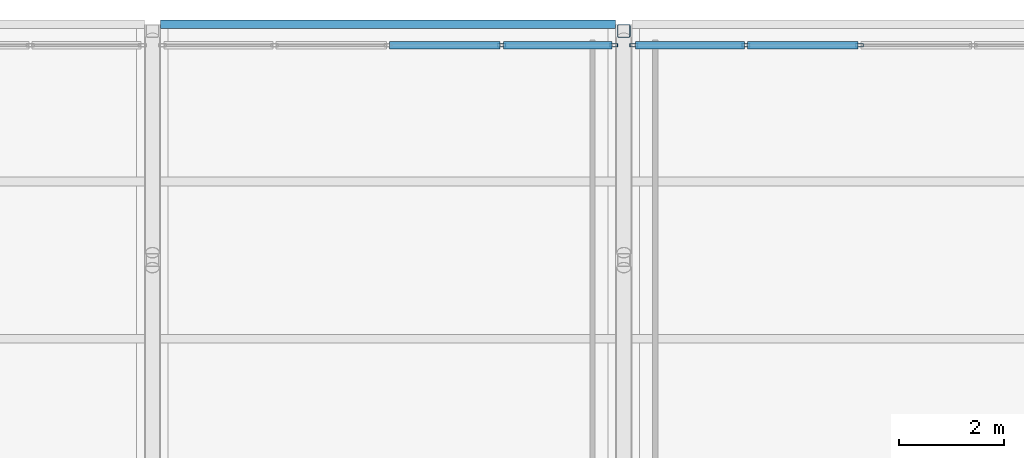
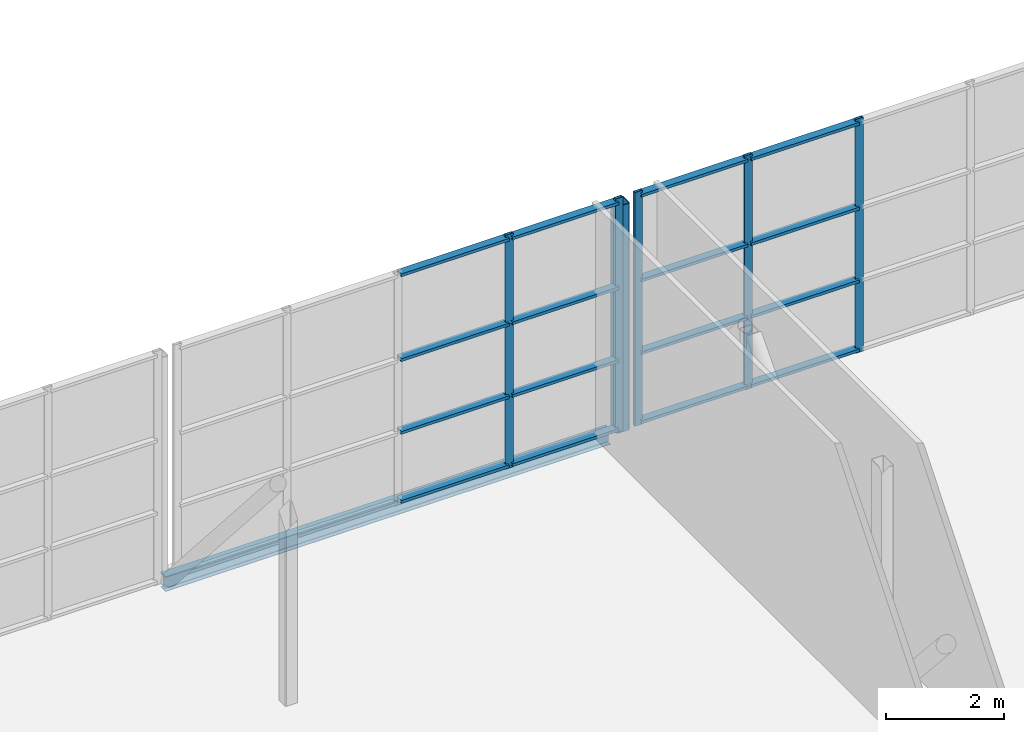
# One storey, part 65 of 94: 22 members, 1 beam, 2 elements without a shape of their own.
"""IFC4 building model written with IfcOpenShell, lengths in metres."""

from ifc_helpers import new_model, si_unit, direction, frame, origin, origin_2d, place, context, subcontext, project, spatial, hollow_rectangle, i_section, extrude, material, layer, layer_set, material_profile, profile_set, type_object, element, aggregate, save


model = new_model("IFC4")

# Units and contexts
model_context = context("Model", 3, precision=1e-05, world=origin(), true_north=direction((0.0, 1.0)))
body_context = subcontext(model_context, "Body", "Model", "MODEL_VIEW")
ifc_project = project(units=[si_unit("LENGTHUNIT", "METRE"), si_unit("AREAUNIT", "SQUARE_METRE"), si_unit("VOLUMEUNIT", "CUBIC_METRE"), si_unit("PLANEANGLEUNIT", "RADIAN"), si_unit("MASSUNIT", "GRAM", prefix="KILO")], contexts=[model_context])

# Site, building, storey
site_placement = place(None, origin())
site = spatial("IfcSite", under=ifc_project, at=site_placement, CompositionType="ELEMENT")
building_placement = place(site_placement, origin())
building = spatial("IfcBuilding", under=site, at=building_placement, Name="Shorebreak Coast Museum", CompositionType="ELEMENT")
storey_placement = place(building_placement, frame((0.0, 0.0, 31.0)))
storey = spatial("IfcBuildingStorey", under=building, at=storey_placement, Name="L05", CompositionType="ELEMENT", Elevation=31.0)

# Curtain wall, members
ifc_material_1 = material(Name="Aluminium", Category="aluminium")
ifc_layer = layer(ifc_material_1, 0.14990234375)
ifc_layer_set = layer_set([ifc_layer], Name="Aluminium")
curtain_wall_type = type_object("IfcCurtainWallType", Name="Barrel end glazing", PredefinedType="NOTDEFINED", material=ifc_layer_set)
curtain_wall_1_placement = place(storey_placement, origin())
curtain_wall_1 = element("IfcCurtainWall", 1, at=curtain_wall_1_placement, inside=storey, type_object=curtain_wall_type, Name="Barrel end glazing L05 3", PredefinedType="NOTDEFINED")
ifc_material_2 = material(Name="Aluminium", Category="aluminium")
ifc_material_profile_1 = material_profile(ifc_material_2, hollow_rectangle(XDim=0.06005859375, YDim=0.14990234375, WallThickness=0.00390625, at=origin_2d()), Name="AL 150x60 RHS")
ifc_profile_set_1 = profile_set([ifc_material_profile_1], Name="Aluminium")
member_type_1 = type_object("IfcMemberType", Name="Barrel mullion 60 x 150", PredefinedType="MULLION", material=ifc_profile_set_1)
member_1_placement = place(storey_placement, frame((78.6689453125, 134.60009765625, 0.0), z_axis=(0.0, 0.0, 1.0), x_axis=(0.0, 1.0, 0.0)))
member_1 = element("IfcMember", 2, at=member_1_placement, type_object=member_type_1, Name="CW7 mullion 4", PredefinedType="MULLION", context=body_context, shape_type="SweptSolid", body=[
    extrude(hollow_rectangle(XDim=0.06005859375, YDim=0.14990234375, WallThickness=0.00390625, at=origin_2d()), origin(), (0.0, 0.0, 1.0), 4.824951171875),
])
member_2_placement = place(storey_placement, frame((80.80810546875, 134.60009765625, 0.0), z_axis=(0.0, 0.0, 1.0), x_axis=(0.0, 1.0, 0.0)))
member_2 = element("IfcMember", 3, at=member_2_placement, type_object=member_type_1, Name="CW7 mullion 5", PredefinedType="MULLION", context=body_context, shape_type="SweptSolid", body=[
    extrude(hollow_rectangle(XDim=0.06005859375, YDim=0.14990234375, WallThickness=0.00390625, at=origin_2d()), origin(), (0.0, 0.0, 1.0), 4.824951171875),
])

curtain_wall_2_placement = place(storey_placement, origin())
curtain_wall_2 = element("IfcCurtainWall", 4, at=curtain_wall_2_placement, inside=storey, type_object=curtain_wall_type, Name="Barrel end glazing L05 4", PredefinedType="NOTDEFINED")
member_3_placement = place(storey_placement, frame((81.19189453125, 134.60009765625, 0.0), z_axis=(0.0, 0.0, 1.0), x_axis=(0.0, 1.0, 0.0)))
member_3 = element("IfcMember", 5, at=member_3_placement, type_object=member_type_1, Name="CW7 mullion 1", PredefinedType="MULLION", context=body_context, shape_type="SweptSolid", body=[
    extrude(hollow_rectangle(XDim=0.06005859375, YDim=0.14990234375, WallThickness=0.00390625, at=origin_2d()), origin(), (0.0, 0.0, 1.0), 4.824951171875),
])
member_4_placement = place(storey_placement, frame((83.3310546875, 134.60009765625, 0.0), z_axis=(0.0, 0.0, 1.0), x_axis=(0.0, 1.0, 0.0)))
member_4 = element("IfcMember", 6, at=member_4_placement, type_object=member_type_1, Name="CW7 mullion 2", PredefinedType="MULLION", context=body_context, shape_type="SweptSolid", body=[
    extrude(hollow_rectangle(XDim=0.06005859375, YDim=0.14990234375, WallThickness=0.00390625, at=origin_2d()), origin(), (0.0, 0.0, 1.0), 4.824951171875),
])
member_5_placement = place(storey_placement, frame((85.5, 134.60009765625, 0.0), z_axis=(0.0, 0.0, 1.0), x_axis=(0.0, 1.0, 0.0)))
member_5 = element("IfcMember", 7, at=member_5_placement, type_object=member_type_1, Name="CW7 mullion 3", PredefinedType="MULLION", context=body_context, shape_type="SweptSolid", body=[
    extrude(hollow_rectangle(XDim=0.06005859375, YDim=0.14990234375, WallThickness=0.00390625, at=origin_2d()), origin(), (0.0, 0.0, 1.0), 4.824951171875),
])

# Member
ifc_material_3 = material(Name="Aluminium", Category="aluminium")
ifc_material_profile_2 = material_profile(ifc_material_3, hollow_rectangle(XDim=0.14990234375, YDim=0.06005859375, WallThickness=0.00390625, at=origin_2d()), Name="AL 60x150 RHS")
ifc_profile_set_2 = profile_set([ifc_material_profile_2], Name="Aluminium")
member_type_2 = type_object("IfcMemberType", Name="Barrel transom 150 x 60", PredefinedType="USERDEFINED", material=ifc_profile_set_2)
member_6_placement = place(storey_placement, frame((76.530029296875, 134.60009765625, 0.074951171875), z_axis=(1.0, 0.0, 0.0), x_axis=(0.0, 1.0, 0.0)))
member_6 = element("IfcMember", 8, at=member_6_placement, type_object=member_type_2, Name="CW7 transom 3.1", ObjectType="TRANSOM", PredefinedType="USERDEFINED", context=body_context, shape_type="SweptSolid", body=[
    extrude(hollow_rectangle(XDim=0.14990234375, YDim=0.06005859375, WallThickness=0.00390625, at=origin_2d()), origin(), (0.0, 0.0, 1.0), 2.10888671875),
])

member_7_placement = place(storey_placement, frame((76.530029296875, 134.60009765625, 1.5), z_axis=(1.0, 0.0, 0.0), x_axis=(0.0, 1.0, 0.0)))
member_7 = element("IfcMember", 9, at=member_7_placement, type_object=member_type_2, Name="CW7 transom 3.2", ObjectType="TRANSOM", PredefinedType="USERDEFINED", context=body_context, shape_type="SweptSolid", body=[
    extrude(hollow_rectangle(XDim=0.14990234375, YDim=0.06005859375, WallThickness=0.00390625, at=origin_2d()), origin(), (0.0, 0.0, 1.0), 2.10888671875),
])

member_8_placement = place(storey_placement, frame((76.530029296875, 134.60009765625, 3.0), z_axis=(1.0, 0.0, 0.0), x_axis=(0.0, 1.0, 0.0)))
member_8 = element("IfcMember", 10, at=member_8_placement, type_object=member_type_2, Name="CW7 transom 3.3", ObjectType="TRANSOM", PredefinedType="USERDEFINED", context=body_context, shape_type="SweptSolid", body=[
    extrude(hollow_rectangle(XDim=0.14990234375, YDim=0.06005859375, WallThickness=0.00390625, at=origin_2d()), origin(), (0.0, 0.0, 1.0), 2.10888671875),
])

member_9_placement = place(storey_placement, frame((76.530029296875, 134.60009765625, 4.75), z_axis=(1.0, 0.0, 0.0), x_axis=(0.0, 1.0, 0.0)))
member_9 = element("IfcMember", 11, at=member_9_placement, type_object=member_type_2, Name="CW7 transom 3.4", ObjectType="TRANSOM", PredefinedType="USERDEFINED", context=body_context, shape_type="SweptSolid", body=[
    extrude(hollow_rectangle(XDim=0.14990234375, YDim=0.06005859375, WallThickness=0.00390625, at=origin_2d()), origin(), (0.0, 0.0, 1.0), 2.10888671875),
])

member_10_placement = place(storey_placement, frame((78.698974609375, 134.60009765625, 0.074951171875), z_axis=(1.0, 0.0, 0.0), x_axis=(0.0, 1.0, 0.0)))
member_10 = element("IfcMember", 12, at=member_10_placement, type_object=member_type_2, Name="CW7 transom 4.1", ObjectType="TRANSOM", PredefinedType="USERDEFINED", context=body_context, shape_type="SweptSolid", body=[
    extrude(hollow_rectangle(XDim=0.14990234375, YDim=0.06005859375, WallThickness=0.00390625, at=origin_2d()), origin(), (0.0, 0.0, 1.0), 2.0791015625),
])

member_11_placement = place(storey_placement, frame((78.698974609375, 134.60009765625, 1.5), z_axis=(1.0, 0.0, 0.0), x_axis=(0.0, 1.0, 0.0)))
member_11 = element("IfcMember", 13, at=member_11_placement, type_object=member_type_2, Name="CW7 transom 4.2", ObjectType="TRANSOM", PredefinedType="USERDEFINED", context=body_context, shape_type="SweptSolid", body=[
    extrude(hollow_rectangle(XDim=0.14990234375, YDim=0.06005859375, WallThickness=0.00390625, at=origin_2d()), origin(), (0.0, 0.0, 1.0), 2.0791015625),
])

member_12_placement = place(storey_placement, frame((78.698974609375, 134.60009765625, 3.0), z_axis=(1.0, 0.0, 0.0), x_axis=(0.0, 1.0, 0.0)))
member_12 = element("IfcMember", 14, at=member_12_placement, type_object=member_type_2, Name="CW7 transom 4.3", ObjectType="TRANSOM", PredefinedType="USERDEFINED", context=body_context, shape_type="SweptSolid", body=[
    extrude(hollow_rectangle(XDim=0.14990234375, YDim=0.06005859375, WallThickness=0.00390625, at=origin_2d()), origin(), (0.0, 0.0, 1.0), 2.0791015625),
])

member_13_placement = place(storey_placement, frame((78.698974609375, 134.60009765625, 4.75), z_axis=(1.0, 0.0, 0.0), x_axis=(0.0, 1.0, 0.0)))
member_13 = element("IfcMember", 15, at=member_13_placement, type_object=member_type_2, Name="CW7 transom 4.4", ObjectType="TRANSOM", PredefinedType="USERDEFINED", context=body_context, shape_type="SweptSolid", body=[
    extrude(hollow_rectangle(XDim=0.14990234375, YDim=0.06005859375, WallThickness=0.00390625, at=origin_2d()), origin(), (0.0, 0.0, 1.0), 2.0791015625),
])

aggregate(curtain_wall_1, [member_1, member_2, member_6, member_7, member_8, member_9, member_10, member_11, member_12, member_13])

member_14_placement = place(storey_placement, frame((81.221923828125, 134.60009765625, 0.074951171875), z_axis=(1.0, 0.0, 0.0), x_axis=(0.0, 1.0, 0.0)))
member_14 = element("IfcMember", 16, at=member_14_placement, type_object=member_type_2, Name="CW7 transom 1.1", ObjectType="TRANSOM", PredefinedType="USERDEFINED", context=body_context, shape_type="SweptSolid", body=[
    extrude(hollow_rectangle(XDim=0.14990234375, YDim=0.06005859375, WallThickness=0.00390625, at=origin_2d()), origin(), (0.0, 0.0, 1.0), 2.0791015625),
])

member_15_placement = place(storey_placement, frame((81.221923828125, 134.60009765625, 1.5), z_axis=(1.0, 0.0, 0.0), x_axis=(0.0, 1.0, 0.0)))
member_15 = element("IfcMember", 17, at=member_15_placement, type_object=member_type_2, Name="CW7 transom 1.2", ObjectType="TRANSOM", PredefinedType="USERDEFINED", context=body_context, shape_type="SweptSolid", body=[
    extrude(hollow_rectangle(XDim=0.14990234375, YDim=0.06005859375, WallThickness=0.00390625, at=origin_2d()), origin(), (0.0, 0.0, 1.0), 2.0791015625),
])

member_16_placement = place(storey_placement, frame((81.221923828125, 134.60009765625, 3.0), z_axis=(1.0, 0.0, 0.0), x_axis=(0.0, 1.0, 0.0)))
member_16 = element("IfcMember", 18, at=member_16_placement, type_object=member_type_2, Name="CW7 transom 1.3", ObjectType="TRANSOM", PredefinedType="USERDEFINED", context=body_context, shape_type="SweptSolid", body=[
    extrude(hollow_rectangle(XDim=0.14990234375, YDim=0.06005859375, WallThickness=0.00390625, at=origin_2d()), origin(), (0.0, 0.0, 1.0), 2.0791015625),
])

member_17_placement = place(storey_placement, frame((81.221923828125, 134.60009765625, 4.75), z_axis=(1.0, 0.0, 0.0), x_axis=(0.0, 1.0, 0.0)))
member_17 = element("IfcMember", 19, at=member_17_placement, type_object=member_type_2, Name="CW7 transom 1.4", ObjectType="TRANSOM", PredefinedType="USERDEFINED", context=body_context, shape_type="SweptSolid", body=[
    extrude(hollow_rectangle(XDim=0.14990234375, YDim=0.06005859375, WallThickness=0.00390625, at=origin_2d()), origin(), (0.0, 0.0, 1.0), 2.0791015625),
])

member_18_placement = place(storey_placement, frame((83.361083984375, 134.60009765625, 0.074951171875), z_axis=(1.0, 0.0, 0.0), x_axis=(0.0, 1.0, 0.0)))
member_18 = element("IfcMember", 20, at=member_18_placement, type_object=member_type_2, Name="CW7 transom 2.1", ObjectType="TRANSOM", PredefinedType="USERDEFINED", context=body_context, shape_type="SweptSolid", body=[
    extrude(hollow_rectangle(XDim=0.14990234375, YDim=0.06005859375, WallThickness=0.00390625, at=origin_2d()), origin(), (0.0, 0.0, 1.0), 2.10888671875),
])

member_19_placement = place(storey_placement, frame((83.361083984375, 134.60009765625, 1.5), z_axis=(1.0, 0.0, 0.0), x_axis=(0.0, 1.0, 0.0)))
member_19 = element("IfcMember", 21, at=member_19_placement, type_object=member_type_2, Name="CW7 transom 2.2", ObjectType="TRANSOM", PredefinedType="USERDEFINED", context=body_context, shape_type="SweptSolid", body=[
    extrude(hollow_rectangle(XDim=0.14990234375, YDim=0.06005859375, WallThickness=0.00390625, at=origin_2d()), origin(), (0.0, 0.0, 1.0), 2.10888671875),
])

member_20_placement = place(storey_placement, frame((83.361083984375, 134.60009765625, 3.0), z_axis=(1.0, 0.0, 0.0), x_axis=(0.0, 1.0, 0.0)))
member_20 = element("IfcMember", 22, at=member_20_placement, type_object=member_type_2, Name="CW7 transom 2.3", ObjectType="TRANSOM", PredefinedType="USERDEFINED", context=body_context, shape_type="SweptSolid", body=[
    extrude(hollow_rectangle(XDim=0.14990234375, YDim=0.06005859375, WallThickness=0.00390625, at=origin_2d()), origin(), (0.0, 0.0, 1.0), 2.10888671875),
])

member_21_placement = place(storey_placement, frame((83.361083984375, 134.60009765625, 4.75), z_axis=(1.0, 0.0, 0.0), x_axis=(0.0, 1.0, 0.0)))
member_21 = element("IfcMember", 23, at=member_21_placement, type_object=member_type_2, Name="CW7 transom 2.4", ObjectType="TRANSOM", PredefinedType="USERDEFINED", context=body_context, shape_type="SweptSolid", body=[
    extrude(hollow_rectangle(XDim=0.14990234375, YDim=0.06005859375, WallThickness=0.00390625, at=origin_2d()), origin(), (0.0, 0.0, 1.0), 2.10888671875),
])

aggregate(curtain_wall_2, [member_3, member_4, member_5, member_14, member_15, member_16, member_17, member_18, member_19, member_20, member_21])

# Beam
ifc_material_4 = material(Name="Steel Grade 300", Category="steel")
ifc_material_profile_3 = material_profile(ifc_material_4, i_section(OverallWidth=0.166015625, OverallDepth=0.30712890625, WebThickness=0.006591796875, FlangeThickness=0.01171875, FilletRadius=0.011474609375, at=origin_2d()), Name="310UB46.2")
ifc_profile_set_3 = profile_set([ifc_material_profile_3], Name="Steel Grade 300")
beam_type = type_object("IfcBeamType", Name="Floor girder east-west 310UB46.2", PredefinedType="BEAM", material=ifc_profile_set_3)
beam_placement = place(storey_placement, frame((72.155517578125, 135.0, -0.32861328125), z_axis=(1.0, 0.0, 0.0), x_axis=(0.0, 1.0, 0.0)))
element("IfcBeam", 24, at=beam_placement, inside=storey, type_object=beam_type, Name="Floor girder east-west L05 9S", PredefinedType="BEAM", context=body_context, shape_type="SweptSolid", body=[
    extrude(i_section(OverallWidth=0.166015625, OverallDepth=0.30712890625, WebThickness=0.006591796875, FlangeThickness=0.01171875, FilletRadius=0.011474609375, at=origin_2d()), origin(), (0.0, 0.0, 1.0), 8.68896484375),
])

# Member
ifc_material_5 = material(Name="Steel Grade C450L0", Category="steel")
ifc_material_profile_4 = material_profile(ifc_material_5, hollow_rectangle(XDim=0.25, YDim=0.25, WallThickness=0.012451171875, InnerFilletRadius=0.018798828125, OuterFilletRadius=0.03125, at=origin_2d()), Name="250x250x12.5 SHS")
ifc_profile_set_4 = profile_set([ifc_material_profile_4], Name="Steel Grade C450L0")
member_type_3 = type_object("IfcMemberType", Name="Transfer truss strut 250x250x12.5 SHS", PredefinedType="STRUT", material=ifc_profile_set_4)
member_22_placement = place(storey_placement, frame((81.0, 134.875, -0.175048828125), z_axis=(0.0, 0.0, 1.0), x_axis=(1.0, 0.0, 0.0)))
element("IfcMember", 25, at=member_22_placement, inside=storey, type_object=member_type_3, Name="Transfer truss TR4 strut V07", PredefinedType="STRUT", context=body_context, shape_type="SweptSolid", body=[
    extrude(hollow_rectangle(XDim=0.25, YDim=0.25, WallThickness=0.012451171875, InnerFilletRadius=0.018798828125, OuterFilletRadius=0.03125, at=origin_2d()), origin(), (0.0, 0.0, 1.0), 4.679443359375),
])

save(model, "model.ifc")
